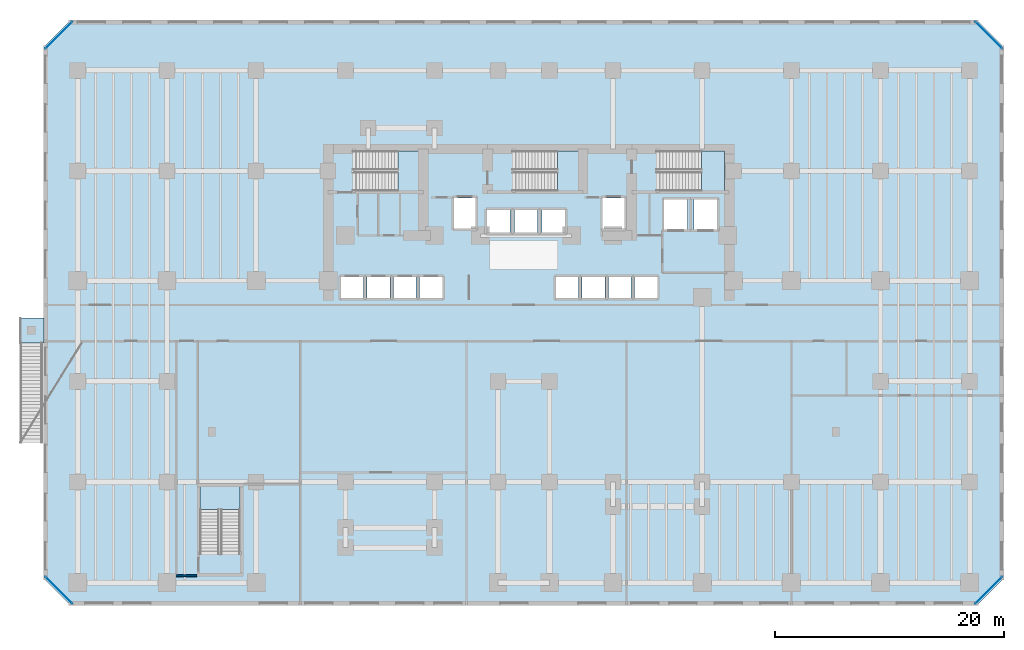
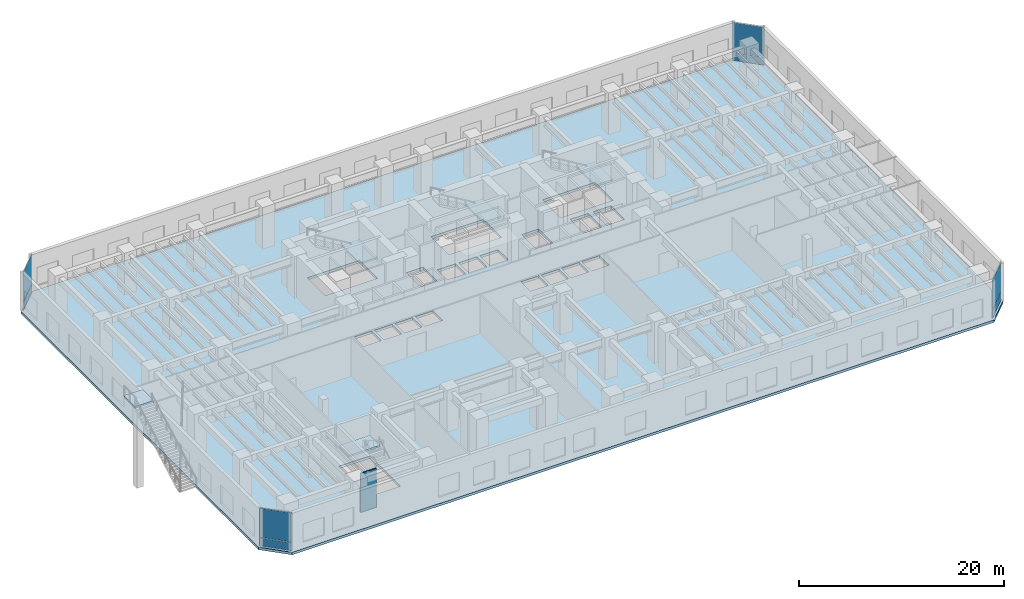
# One storey, part 9 of 19: 8 plates, 6 slabs, 1 wall, 9 elements without a shape of their own.
"""IFC4 building model written with IfcOpenShell, lengths in metres."""

from ifc_helpers import new_model, si_unit, direction, frame, frame_2d, origin, origin_2d, place, context, subcontext, project, spatial, polyline, rectangle, outline, extrude, material, layer, layer_set, type_object, element, aggregate, save


model = new_model("IFC4")

# Units and contexts
model_context = context("Model", 3, precision=1e-05, world=origin(), true_north=direction((0.0, 1.0)))
body_context = subcontext(model_context, "Body", "Model", "MODEL_VIEW")
ifc_project = project(units=[si_unit("LENGTHUNIT", "METRE"), si_unit("AREAUNIT", "SQUARE_METRE"), si_unit("VOLUMEUNIT", "CUBIC_METRE"), si_unit("PLANEANGLEUNIT", "RADIAN"), si_unit("MASSUNIT", "GRAM", prefix="KILO")], contexts=[model_context])

# Site, building, storey
site_placement = place(None, origin())
site = spatial("IfcSite", under=ifc_project, at=site_placement, CompositionType="ELEMENT")
building_placement = place(site_placement, origin())
building = spatial("IfcBuilding", under=site, at=building_placement, Name="Kestravale Grand Hotel", CompositionType="ELEMENT")
storey_placement = place(building_placement, frame((0.0, 0.0, 5.39990234375)))
storey = spatial("IfcBuildingStorey", under=building, at=storey_placement, Name="L01", CompositionType="ELEMENT", Elevation=5.39990234375)

# Curtain wall, plates
ifc_material_1 = material(Name="Thermally broken champagne-bronze aluminium and low-E glazing", Category="aluminium")
ifc_layer_1 = layer(ifc_material_1, 0.239990234375)
ifc_layer_set_1 = layer_set([ifc_layer_1], Name="CW-POD")
curtain_wall_type = type_object("IfcCurtainWallType", Name="CW-POD", PredefinedType="NOTDEFINED", material=ifc_layer_set_1)
curtain_wall_1_placement = place(storey_placement, origin())
curtain_wall_1 = element("IfcCurtainWall", 1, at=curtain_wall_1_placement, inside=storey, type_object=curtain_wall_type, Name="L01 unitised curtain wall 2", PredefinedType="NOTDEFINED")
ifc_material_2 = material(Name="Insulated clear low-E double glazing IGU", Category="glass")
ifc_layer_2 = layer(ifc_material_2, 0.035888671875)
ifc_layer_set_2 = layer_set([ifc_layer_2], Name="CW-PNL-36")
plate_type = type_object("IfcPlateType", Name="CW-PNL-36", PredefinedType="CURTAIN_PANEL", material=ifc_layer_set_2)
plate_1_placement = place(storey_placement, frame((79.665771484375, 1.734375, 0.0751953125), z_axis=(0.0, 0.0, 1.0), x_axis=(0.707106781187, 0.707106781187, 0.0)))
plate_1 = element("IfcPlate", 2, at=plate_1_placement, type_object=plate_type, Name="CW-POD panel 1.1", PredefinedType="CURTAIN_PANEL", context=body_context, shape_type="SweptSolid", body=[
    extrude(rectangle(XDim=3.26416015625, YDim=0.035888671875, at=origin_2d()), origin(), (0.0, 0.0, 1.0), 0.9375),
])
plate_2_placement = place(storey_placement, frame((79.665771484375, 1.734375, 1.08740234375), z_axis=(0.0, 0.0, 1.0), x_axis=(0.707106781187, 0.707106781187, 0.0)))
plate_2 = element("IfcPlate", 3, at=plate_2_placement, type_object=plate_type, Name="CW-POD panel 1.2", PredefinedType="CURTAIN_PANEL", context=body_context, shape_type="SweptSolid", body=[
    extrude(rectangle(XDim=3.26416015625, YDim=0.035888671875, at=origin_2d()), origin(), (0.0, 0.0, 1.0), 3.487548828125),
])
aggregate(curtain_wall_1, [plate_1, plate_2])

curtain_wall_2_placement = place(storey_placement, origin())
curtain_wall_2 = element("IfcCurtainWall", 4, at=curtain_wall_2_placement, inside=storey, type_object=curtain_wall_type, Name="L01 unitised curtain wall 4", PredefinedType="NOTDEFINED")
plate_3_placement = place(storey_placement, frame((79.665771484375, 50.265625, 0.0751953125), z_axis=(0.0, 0.0, 1.0), x_axis=(-0.707106781187, 0.707106781187, 0.0)))
plate_3 = element("IfcPlate", 5, at=plate_3_placement, type_object=plate_type, Name="CW-POD panel 1.1", PredefinedType="CURTAIN_PANEL", context=body_context, shape_type="SweptSolid", body=[
    extrude(rectangle(XDim=3.26416015625, YDim=0.035888671875, at=origin_2d()), origin(), (0.0, 0.0, 1.0), 0.9375),
])
plate_4_placement = place(storey_placement, frame((79.665771484375, 50.265625, 1.08740234375), z_axis=(0.0, 0.0, 1.0), x_axis=(-0.707106781187, 0.707106781187, 0.0)))
plate_4 = element("IfcPlate", 6, at=plate_4_placement, type_object=plate_type, Name="CW-POD panel 1.2", PredefinedType="CURTAIN_PANEL", context=body_context, shape_type="SweptSolid", body=[
    extrude(rectangle(XDim=3.26416015625, YDim=0.035888671875, at=origin_2d()), origin(), (0.0, 0.0, 1.0), 3.487548828125),
])
aggregate(curtain_wall_2, [plate_3, plate_4])

curtain_wall_3_placement = place(storey_placement, origin())
curtain_wall_3 = element("IfcCurtainWall", 7, at=curtain_wall_3_placement, inside=storey, type_object=curtain_wall_type, Name="L01 unitised curtain wall 6", PredefinedType="NOTDEFINED")
plate_5_placement = place(storey_placement, frame((-1.665771484375, 50.265625, 0.0751953125), z_axis=(0.0, 0.0, 1.0), x_axis=(-0.707106781187, -0.707106781187, 0.0)))
plate_5 = element("IfcPlate", 8, at=plate_5_placement, type_object=plate_type, Name="CW-POD panel 1.1", PredefinedType="CURTAIN_PANEL", context=body_context, shape_type="SweptSolid", body=[
    extrude(rectangle(XDim=3.26416015625, YDim=0.035888671875, at=origin_2d()), origin(), (0.0, 0.0, 1.0), 0.9375),
])
plate_6_placement = place(storey_placement, frame((-1.665771484375, 50.265625, 1.08740234375), z_axis=(0.0, 0.0, 1.0), x_axis=(-0.707106781187, -0.707106781187, 0.0)))
plate_6 = element("IfcPlate", 9, at=plate_6_placement, type_object=plate_type, Name="CW-POD panel 1.2", PredefinedType="CURTAIN_PANEL", context=body_context, shape_type="SweptSolid", body=[
    extrude(rectangle(XDim=3.26416015625, YDim=0.035888671875, at=origin_2d()), origin(), (0.0, 0.0, 1.0), 3.487548828125),
])
aggregate(curtain_wall_3, [plate_5, plate_6])

curtain_wall_4_placement = place(storey_placement, origin())
curtain_wall_4 = element("IfcCurtainWall", 10, at=curtain_wall_4_placement, inside=storey, type_object=curtain_wall_type, Name="L01 unitised curtain wall 8", PredefinedType="NOTDEFINED")
plate_7_placement = place(storey_placement, frame((-1.665771484375, 1.734375, 0.0751953125), z_axis=(0.0, 0.0, 1.0), x_axis=(0.707106781187, -0.707106781187, 0.0)))
plate_7 = element("IfcPlate", 11, at=plate_7_placement, type_object=plate_type, Name="CW-POD panel 1.1", PredefinedType="CURTAIN_PANEL", context=body_context, shape_type="SweptSolid", body=[
    extrude(rectangle(XDim=3.26416015625, YDim=0.035888671875, at=origin_2d()), origin(), (0.0, 0.0, 1.0), 0.9375),
])
plate_8_placement = place(storey_placement, frame((-1.665771484375, 1.734375, 1.08740234375), z_axis=(0.0, 0.0, 1.0), x_axis=(0.707106781187, -0.707106781187, 0.0)))
plate_8 = element("IfcPlate", 12, at=plate_8_placement, type_object=plate_type, Name="CW-POD panel 1.2", PredefinedType="CURTAIN_PANEL", context=body_context, shape_type="SweptSolid", body=[
    extrude(rectangle(XDim=3.26416015625, YDim=0.035888671875, at=origin_2d()), origin(), (0.0, 0.0, 1.0), 3.487548828125),
])
aggregate(curtain_wall_4, [plate_7, plate_8])

# Stair, slab
ifc_material_3 = material(Name="Concrete f'c 45 MPa", Category="concrete")
stair_type_1 = type_object("IfcStairType", Name="ST-EXT-GDN", PredefinedType="STRAIGHT_RUN_STAIR", material=ifc_material_3)
stair_1_placement = place(storey_placement, origin())
stair_1 = element("IfcStair", 13, at=stair_1_placement, inside=storey, type_object=stair_type_1, Name="L01 cascading public garden stair 2", PredefinedType="STRAIGHT_RUN_STAIR")
ifc_material_4 = material(Name="Concrete f'c 45 MPa", Category="concrete")
ifc_layer_3 = layer(ifc_material_4, 0.25)
ifc_layer_set_3 = layer_set([ifc_layer_3], Name="SLB-EXT-LND")
slab_type_1 = type_object("IfcSlabType", Name="SLB-EXT-LND", PredefinedType="LANDING", material=ifc_layer_set_3)
slab_1_placement = place(storey_placement, frame((0.0, 0.0, 4.75)))
slab_1 = element("IfcSlab", 14, at=slab_1_placement, type_object=slab_type_1, Name="ST-G2 landing 1", PredefinedType="LANDING", context=body_context, shape_type="SweptSolid", body=[
    extrude(outline(polyline([(-5.050048828125, 23.360107421875), (-2.949951171875, 23.360107421875), (-2.949951171875, 25.56005859375), (-5.050048828125, 25.56005859375), (-5.050048828125, 23.360107421875)])), origin(), (0.0, 0.0, 1.0), 0.25),
])
aggregate(stair_1, [slab_1])

ifc_material_5 = material(Name="Concrete f'c 45 MPa", Category="concrete")
stair_type_2 = type_object("IfcStairType", Name="ST-CORE-500", PredefinedType="HALF_TURN_STAIR", material=ifc_material_5)
stair_2_placement = place(storey_placement, origin())
stair_2 = element("IfcStair", 15, at=stair_2_placement, inside=storey, type_object=stair_type_2, Name="L01 ST-1", PredefinedType="HALF_TURN_STAIR")
ifc_material_6 = material(Name="Concrete f'c 45 MPa", Category="concrete")
ifc_layer_4 = layer(ifc_material_6, 0.199951171875)
ifc_layer_set_4 = layer_set([ifc_layer_4], Name="SLB-ST-LND200")
slab_type_2 = type_object("IfcSlabType", Name="SLB-ST-LND200", PredefinedType="LANDING", material=ifc_layer_set_4)
slab_2_placement = place(storey_placement, frame((0.0, 0.0, 2.300048828125)))
slab_2 = element("IfcSlab", 16, at=slab_2_placement, type_object=slab_type_2, Name="ST-1 landing 1", PredefinedType="LANDING", context=body_context, shape_type="SweptSolid", body=[
    extrude(outline(polyline([(28.0, 36.64990234375), (30.0, 36.64990234375), (30.0, 40.159912109375), (28.0, 40.159912109375), (28.0, 36.64990234375)])), origin(), (0.0, 0.0, 1.0), 0.199951171875),
])
aggregate(stair_2, [slab_2])

stair_3_placement = place(storey_placement, origin())
stair_3 = element("IfcStair", 17, at=stair_3_placement, inside=storey, type_object=stair_type_2, Name="L01 ST-2", PredefinedType="HALF_TURN_STAIR")
slab_3_placement = place(storey_placement, frame((0.0, 0.0, 2.300048828125)))
slab_3 = element("IfcSlab", 18, at=slab_3_placement, type_object=slab_type_2, Name="ST-2 landing 1", PredefinedType="LANDING", context=body_context, shape_type="SweptSolid", body=[
    extrude(outline(polyline([(41.949951171875, 36.64990234375), (43.949951171875, 36.64990234375), (43.949951171875, 40.159912109375), (41.949951171875, 40.159912109375), (41.949951171875, 36.64990234375)])), origin(), (0.0, 0.0, 1.0), 0.199951171875),
])
aggregate(stair_3, [slab_3])

stair_4_placement = place(storey_placement, origin())
stair_4 = element("IfcStair", 19, at=stair_4_placement, inside=storey, type_object=stair_type_2, Name="L01 ST-3", PredefinedType="HALF_TURN_STAIR")
slab_4_placement = place(storey_placement, frame((0.0, 0.0, 2.300048828125)))
slab_4 = element("IfcSlab", 20, at=slab_4_placement, type_object=slab_type_2, Name="ST-3 landing 1", PredefinedType="LANDING", context=body_context, shape_type="SweptSolid", body=[
    extrude(outline(polyline([(54.550048828125, 36.64990234375), (56.550048828125, 36.64990234375), (56.550048828125, 40.159912109375), (54.550048828125, 40.159912109375), (54.550048828125, 36.64990234375)])), origin(), (0.0, 0.0, 1.0), 0.199951171875),
])
aggregate(stair_4, [slab_4])

stair_5_placement = place(storey_placement, origin())
stair_5 = element("IfcStair", 21, at=stair_5_placement, inside=storey, type_object=stair_type_2, Name="L01 ST-4", PredefinedType="HALF_TURN_STAIR")
slab_5_placement = place(storey_placement, frame((0.0, 0.0, 2.300048828125)))
slab_5 = element("IfcSlab", 22, at=slab_5_placement, type_object=slab_type_2, Name="ST-4 landing 1", PredefinedType="LANDING", context=body_context, shape_type="SweptSolid", body=[
    extrude(outline(polyline([(14.199951171875, 8.800048828125), (14.199951171875, 10.800048828125), (10.68994140625, 10.800048828125), (10.68994140625, 8.800048828125), (14.199951171875, 8.800048828125)])), origin(), (0.0, 0.0, 1.0), 0.199951171875),
])
aggregate(stair_5, [slab_5])

# Slab
ifc_material_7 = material(Name="Concrete f'c 45 MPa", Category="concrete")
ifc_layer_5 = layer(ifc_material_7, 0.300048828125)
ifc_layer_set_5 = layer_set([ifc_layer_5], Name="SS-POD-300")
slab_type_3 = type_object("IfcSlabType", Name="SS-POD-300", PredefinedType="FLOOR", material=ifc_layer_set_5)
slab_6_placement = place(storey_placement, frame((0.0, 0.0, -0.2998046875)))
element("IfcSlab", 23, at=slab_6_placement, inside=storey, type_object=slab_type_3, Name="L01 structural floor slab", PredefinedType="FLOOR", context=body_context, shape_type="SweptSolid", body=[
    extrude(outline(polyline([(-0.60009765625, 0.39990234375), (78.60009765625, 0.39990234375), (81.0, 2.800048828125), (81.0, 49.199951171875), (78.60009765625, 51.60009765625), (-0.60009765625, 51.60009765625), (-3.0, 49.199951171875), (-3.0, 2.800048828125), (-0.60009765625, 0.39990234375)]), holes=[polyline([(24.080078125, 36.64990234375), (30.0, 36.64990234375), (30.0, 40.159912109375), (24.080078125, 40.159912109375), (24.080078125, 36.64990234375)]), polyline([(38.030029296875, 36.64990234375), (43.949951171875, 36.64990234375), (43.949951171875, 40.159912109375), (38.030029296875, 40.159912109375), (38.030029296875, 36.64990234375)]), polyline([(50.6298828125, 36.64990234375), (56.550048828125, 36.64990234375), (56.550048828125, 40.159912109375), (50.6298828125, 40.159912109375), (50.6298828125, 36.64990234375)]), polyline([(14.199951171875, 4.8798828125), (14.199951171875, 10.800048828125), (10.68994140625, 10.800048828125), (10.68994140625, 4.8798828125), (14.199951171875, 4.8798828125)]), polyline([(23.0048828125, 27.280029296875), (24.9951171875, 27.280029296875), (24.9951171875, 29.1201171875), (23.0048828125, 29.1201171875), (23.0048828125, 27.280029296875)]), polyline([(25.304931640625, 27.280029296875), (27.294921875, 27.280029296875), (27.294921875, 29.1201171875), (25.304931640625, 29.1201171875), (25.304931640625, 27.280029296875)]), polyline([(27.60498046875, 27.280029296875), (29.594970703125, 27.280029296875), (29.594970703125, 29.1201171875), (27.60498046875, 29.1201171875), (27.60498046875, 27.280029296875)]), polyline([(29.905029296875, 27.280029296875), (31.89501953125, 27.280029296875), (31.89501953125, 29.1201171875), (29.905029296875, 29.1201171875), (29.905029296875, 27.280029296875)]), polyline([(41.804931640625, 27.280029296875), (43.794921875, 27.280029296875), (43.794921875, 29.1201171875), (41.804931640625, 29.1201171875), (41.804931640625, 27.280029296875)]), polyline([(44.10498046875, 27.280029296875), (46.094970703125, 27.280029296875), (46.094970703125, 29.1201171875), (44.10498046875, 29.1201171875), (44.10498046875, 27.280029296875)]), polyline([(46.405029296875, 27.280029296875), (48.39501953125, 27.280029296875), (48.39501953125, 29.1201171875), (46.405029296875, 29.1201171875), (46.405029296875, 27.280029296875)]), polyline([(48.705078125, 27.280029296875), (50.695068359375, 27.280029296875), (50.695068359375, 29.1201171875), (48.705078125, 29.1201171875), (48.705078125, 27.280029296875)]), polyline([(35.780029296875, 33.030029296875), (37.820068359375, 33.030029296875), (37.820068359375, 34.969970703125), (35.780029296875, 34.969970703125), (35.780029296875, 33.030029296875)]), polyline([(38.179931640625, 33.030029296875), (40.219970703125, 33.030029296875), (40.219970703125, 34.969970703125), (38.179931640625, 34.969970703125), (38.179931640625, 33.030029296875)]), polyline([(40.580078125, 33.030029296875), (42.6201171875, 33.030029296875), (42.6201171875, 34.969970703125), (40.580078125, 34.969970703125), (40.580078125, 33.030029296875)]), polyline([(32.905029296875, 33.35498046875), (34.794921875, 33.35498046875), (34.794921875, 36.044921875), (32.905029296875, 36.044921875), (32.905029296875, 33.35498046875)]), polyline([(45.905029296875, 33.35498046875), (47.794921875, 33.35498046875), (47.794921875, 36.044921875), (45.905029296875, 36.044921875), (45.905029296875, 33.35498046875)]), polyline([(51.280029296875, 33.280029296875), (53.320068359375, 33.280029296875), (53.320068359375, 35.919921875), (51.280029296875, 35.919921875), (51.280029296875, 33.280029296875)]), polyline([(53.8798828125, 33.280029296875), (55.919921875, 33.280029296875), (55.919921875, 35.919921875), (53.8798828125, 35.919921875), (53.8798828125, 33.280029296875)])]), origin(), (0.0, 0.0, 1.0), 0.2998046875),
])

# Wall
ifc_material_8 = material(Name="Acoustic fire-rated gypsum board partition", Category="other")
ifc_layer_6 = layer(ifc_material_8, 0.159912109375)
ifc_layer_set_6 = layer_set([ifc_layer_6], Name="IW-CORR-160")
wall_type = type_object("IfcWallType", Name="IW-CORR-160", PredefinedType="PARTITIONING", material=ifc_layer_set_6)
wall_placement = place(storey_placement, frame((8.60009765625, 3.0, 0.0), z_axis=(0.0, 0.0, 1.0), x_axis=(1.0, 0.0, 0.0)))
element("IfcWall", 24, at=wall_placement, inside=storey, type_object=wall_type, Name="W-L01-ST4C-S", PredefinedType="PARTITIONING", context=body_context, shape_type="SweptSolid", body=[
    extrude(rectangle(XDim=1.789794921875, YDim=0.159912109375, at=frame_2d((0.89501953125, 0.0))), origin(), (0.0, 0.0, 1.0), 4.650146484375),
])

save(model, "model.ifc")
